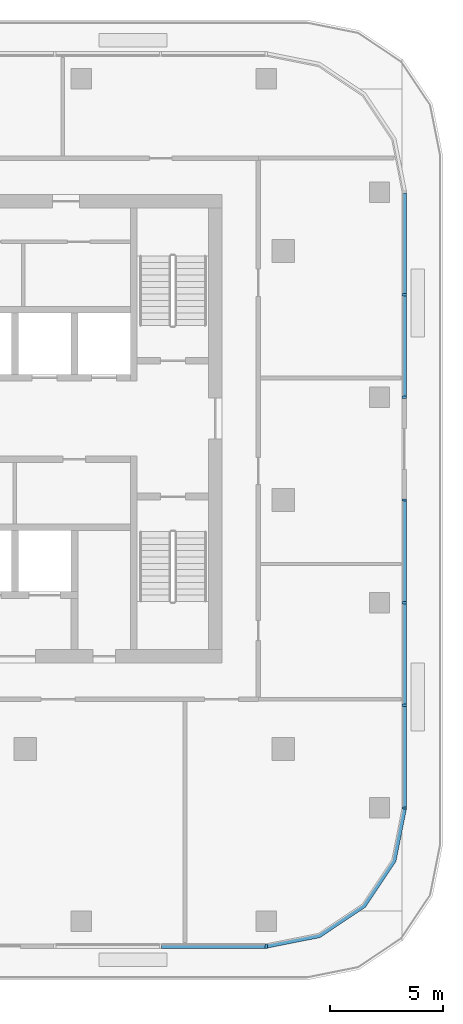
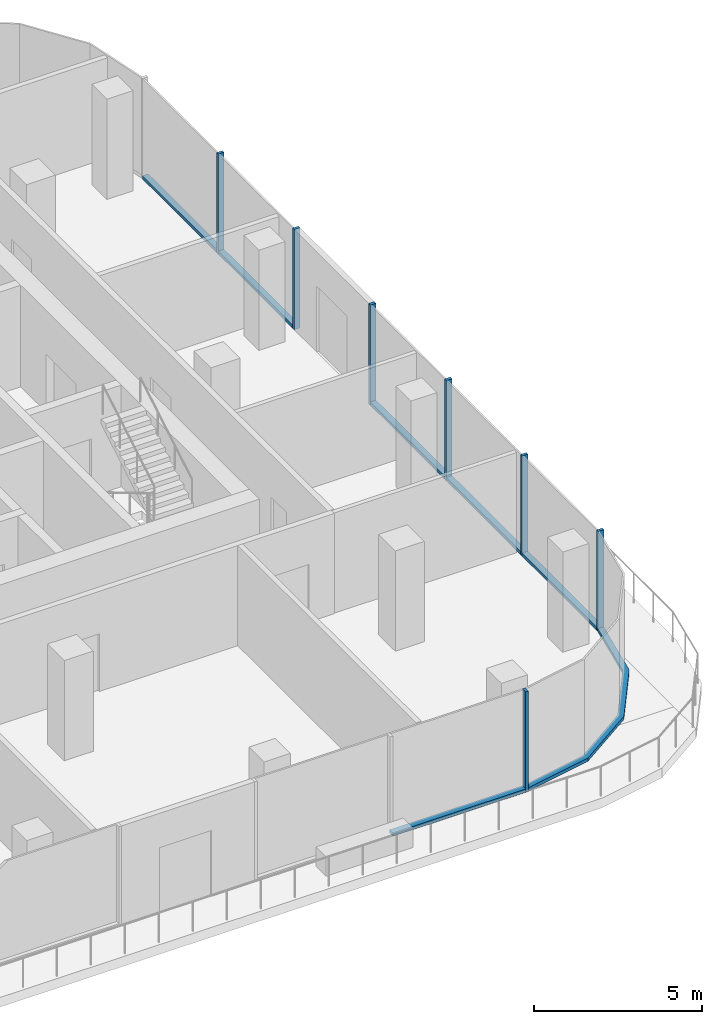
# One storey, part 3 of 12: 14 members, 4 elements without a shape of their own.
"""IFC4 building model written with IfcOpenShell, lengths in metres."""

from ifc_helpers import new_model, si_unit, direction, frame, origin, origin_2d, place, context, subcontext, project, spatial, polyline, rectangle, outline, extrude, material, material_profile, profile_set, type_object, element, aggregate, save


model = new_model("IFC4")

# Units and contexts
model_context = context("Model", 3, precision=1e-05, world=origin(), true_north=direction((0.0, 1.0)))
body_context = subcontext(model_context, "Body", "Model", "MODEL_VIEW")
ifc_project = project(units=[si_unit("LENGTHUNIT", "METRE"), si_unit("AREAUNIT", "SQUARE_METRE"), si_unit("VOLUMEUNIT", "CUBIC_METRE"), si_unit("PLANEANGLEUNIT", "RADIAN"), si_unit("MASSUNIT", "GRAM", prefix="KILO")], contexts=[model_context])

# Site, building, storey
site_placement = place(None, origin())
site = spatial("IfcSite", under=ifc_project, at=site_placement, CompositionType="ELEMENT")
building_placement = place(site_placement, origin())
building = spatial("IfcBuilding", under=site, at=building_placement, Name="Mopane Tessera Tower", CompositionType="ELEMENT")
storey_placement = place(building_placement, frame((0.0, 0.0, 349.39990234375)))
storey = spatial("IfcBuildingStorey", under=building, at=storey_placement, Name="L76", CompositionType="ELEMENT", Elevation=349.39990234375)

# Curtain wall, member
ifc_material_1 = material(Name="Aluminium frame", Category="aluminium")
curtain_wall_type = type_object("IfcCurtainWallType", Name="Unitised curtain wall", PredefinedType="NOTDEFINED", material=ifc_material_1)
curtain_wall_1_placement = place(storey_placement, origin())
curtain_wall_1 = element("IfcCurtainWall", 1, at=curtain_wall_1_placement, inside=storey, type_object=curtain_wall_type, Name="e:cw:L76:S:5", PredefinedType="NOTDEFINED")
ifc_material_2 = material(Name="Aluminium frame", Category="aluminium")
ifc_material_profile_1 = material_profile(ifc_material_2, rectangle(XDim=0.10009765625, YDim=0.199951171875, at=origin_2d()))
ifc_profile_set_1 = profile_set([ifc_material_profile_1], Name="Aluminium frame")
member_type_1 = type_object("IfcMemberType", Name="Aluminium mullion 100 x 200", PredefinedType="MULLION", material=ifc_profile_set_1)
member_1_placement = place(storey_placement, frame((16.35009765625, -19.699951171875, 0.0), z_axis=(0.0, 0.0, 1.0), x_axis=(1.0, 0.0, 0.0)))
member_1 = element("IfcMember", 2, at=member_1_placement, type_object=member_type_1, Name="e:cw:L76:S:5:mu7", PredefinedType="MULLION", context=body_context, shape_type="SweptSolid", body=[
    extrude(rectangle(XDim=0.10009765625, YDim=0.199951171875, at=origin_2d()), origin(), (0.0, 0.0, 1.0), 3.650146484375),
])

# Curtain wall, members
curtain_wall_2_placement = place(storey_placement, origin())
curtain_wall_2 = element("IfcCurtainWall", 3, at=curtain_wall_2_placement, inside=storey, type_object=curtain_wall_type, Name="e:cw:L76:E:0", PredefinedType="NOTDEFINED")
member_2_placement = place(storey_placement, frame((22.449951171875, -13.60009765625, 0.0), z_axis=(0.0, 0.0, 1.0), x_axis=(0.0, 1.0, 0.0)))
member_2 = element("IfcMember", 4, at=member_2_placement, type_object=member_type_1, Name="e:cw:L76:E:0:mu0", PredefinedType="MULLION", context=body_context, shape_type="SweptSolid", body=[
    extrude(rectangle(XDim=0.10009765625, YDim=0.199951171875, at=origin_2d()), origin(), (0.0, 0.0, 1.0), 3.650146484375),
])
member_3_placement = place(storey_placement, frame((22.449951171875, -9.066650390625, 0.0), z_axis=(0.0, 0.0, 1.0), x_axis=(0.0, 1.0, 0.0)))
member_3 = element("IfcMember", 5, at=member_3_placement, type_object=member_type_1, Name="e:cw:L76:E:0:mu1", PredefinedType="MULLION", context=body_context, shape_type="SweptSolid", body=[
    extrude(rectangle(XDim=0.10009765625, YDim=0.199951171875, at=origin_2d()), origin(), (0.0, 0.0, 1.0), 3.650146484375),
])
member_4_placement = place(storey_placement, frame((22.449951171875, -4.533447265625, 0.0), z_axis=(0.0, 0.0, 1.0), x_axis=(0.0, 1.0, 0.0)))
member_4 = element("IfcMember", 6, at=member_4_placement, type_object=member_type_1, Name="e:cw:L76:E:0:mu2", PredefinedType="MULLION", context=body_context, shape_type="SweptSolid", body=[
    extrude(rectangle(XDim=0.10009765625, YDim=0.199951171875, at=origin_2d()), origin(), (0.0, 0.0, 1.0), 3.650146484375),
])
member_5_placement = place(storey_placement, frame((22.449951171875, 0.0, 0.0), z_axis=(0.0, 0.0, 1.0), x_axis=(0.0, 1.0, 0.0)))
member_5 = element("IfcMember", 7, at=member_5_placement, type_object=member_type_1, Name="e:cw:L76:E:0:mu3", PredefinedType="MULLION", context=body_context, shape_type="SweptSolid", body=[
    extrude(rectangle(XDim=0.10009765625, YDim=0.199951171875, at=origin_2d()), origin(), (0.0, 0.0, 1.0), 3.650146484375),
])

curtain_wall_3_placement = place(storey_placement, origin())
curtain_wall_3 = element("IfcCurtainWall", 8, at=curtain_wall_3_placement, inside=storey, type_object=curtain_wall_type, Name="e:cw:L76:E:4", PredefinedType="NOTDEFINED")
member_6_placement = place(storey_placement, frame((22.449951171875, 4.533447265625, 0.0), z_axis=(0.0, 0.0, 1.0), x_axis=(0.0, 1.0, 0.0)))
member_6 = element("IfcMember", 9, at=member_6_placement, type_object=member_type_1, Name="e:cw:L76:E:4:mu4", PredefinedType="MULLION", context=body_context, shape_type="SweptSolid", body=[
    extrude(rectangle(XDim=0.10009765625, YDim=0.199951171875, at=origin_2d()), origin(), (0.0, 0.0, 1.0), 3.650146484375),
])
member_7_placement = place(storey_placement, frame((22.449951171875, 9.066650390625, 0.0), z_axis=(0.0, 0.0, 1.0), x_axis=(0.0, 1.0, 0.0)))
member_7 = element("IfcMember", 10, at=member_7_placement, type_object=member_type_1, Name="e:cw:L76:E:4:mu5", PredefinedType="MULLION", context=body_context, shape_type="SweptSolid", body=[
    extrude(rectangle(XDim=0.10009765625, YDim=0.199951171875, at=origin_2d()), origin(), (0.0, 0.0, 1.0), 3.650146484375),
])

# Member
ifc_material_3 = material(Name="Aluminium frame", Category="aluminium")
ifc_material_profile_2 = material_profile(ifc_material_3, rectangle(XDim=0.199951171875, YDim=0.1201171875, at=origin_2d()))
ifc_profile_set_2 = profile_set([ifc_material_profile_2], Name="Aluminium frame")
member_type_2 = type_object("IfcMemberType", Name="Aluminium transom 200 x 120", PredefinedType="USERDEFINED", material=ifc_profile_set_2)
member_8_placement = place(storey_placement, frame((11.728515625, -19.699951171875, 0.06005859375), z_axis=(1.0, 0.0, 0.0), x_axis=(0.0, 1.0, 0.0)))
member_8 = element("IfcMember", 11, at=member_8_placement, type_object=member_type_2, Name="e:cw:L76:S:5:tr6", ObjectType="TRANSOM", PredefinedType="USERDEFINED", context=body_context, shape_type="SweptSolid", body=[
    extrude(rectangle(XDim=0.199951171875, YDim=0.1201171875, at=origin_2d()), origin(), (0.0, 0.0, 1.0), 4.571533203125),
])

aggregate(curtain_wall_1, [member_1, member_8])

# Curtain wall, member
curtain_wall_4_placement = place(storey_placement, origin())
curtain_wall_4 = element("IfcCurtainWall", 12, at=curtain_wall_4_placement, inside=storey, type_object=curtain_wall_type, Name="e:cw:L76:CS", PredefinedType="NOTDEFINED")
member_9_placement = place(storey_placement, origin())
member_9 = element("IfcMember", 13, at=member_9_placement, type_object=member_type_2, Name="e:cw:L76:CS:tr", ObjectType="TRANSOM", PredefinedType="USERDEFINED", context=body_context, shape_type="SweptSolid", body=[
    extrude(outline(polyline([(16.35009765625, -19.60009765625), (18.64599609375, -19.143310546875), (20.592529296875, -17.842529296875), (21.893310546875, -15.89599609375), (22.35009765625, -13.60009765625), (22.550048828125, -13.60009765625), (22.078125, -15.97265625), (20.734130859375, -17.984130859375), (18.72265625, -19.328125), (16.35009765625, -19.800048828125), (16.35009765625, -19.60009765625)])), origin(), (0.0, 0.0, 1.0), 0.1201171875),
])
aggregate(curtain_wall_4, [member_9])

# Member
member_10_placement = place(storey_placement, frame((22.449951171875, -13.550048828125, 0.06005859375), z_axis=(0.0, 1.0, 0.0), x_axis=(-1.0, 0.0, 0.0)))
member_10 = element("IfcMember", 14, at=member_10_placement, type_object=member_type_2, Name="e:cw:L76:E:0:tr0", ObjectType="TRANSOM", PredefinedType="USERDEFINED", context=body_context, shape_type="SweptSolid", body=[
    extrude(rectangle(XDim=0.199951171875, YDim=0.1201171875, at=origin_2d()), origin(), (0.0, 0.0, 1.0), 4.433349609375),
])

member_11_placement = place(storey_placement, frame((22.449951171875, -9.0166015625, 0.06005859375), z_axis=(0.0, 1.0, 0.0), x_axis=(-1.0, 0.0, 0.0)))
member_11 = element("IfcMember", 15, at=member_11_placement, type_object=member_type_2, Name="e:cw:L76:E:0:tr1", ObjectType="TRANSOM", PredefinedType="USERDEFINED", context=body_context, shape_type="SweptSolid", body=[
    extrude(rectangle(XDim=0.199951171875, YDim=0.1201171875, at=origin_2d()), origin(), (0.0, 0.0, 1.0), 4.433349609375),
])

member_12_placement = place(storey_placement, frame((22.449951171875, -4.4833984375, 0.06005859375), z_axis=(0.0, 1.0, 0.0), x_axis=(-1.0, 0.0, 0.0)))
member_12 = element("IfcMember", 16, at=member_12_placement, type_object=member_type_2, Name="e:cw:L76:E:0:tr2", ObjectType="TRANSOM", PredefinedType="USERDEFINED", context=body_context, shape_type="SweptSolid", body=[
    extrude(rectangle(XDim=0.199951171875, YDim=0.1201171875, at=origin_2d()), origin(), (0.0, 0.0, 1.0), 4.433349609375),
])

aggregate(curtain_wall_2, [member_2, member_3, member_4, member_5, member_10, member_11, member_12])

member_13_placement = place(storey_placement, frame((22.449951171875, 4.583251953125, 0.06005859375), z_axis=(0.0, 1.0, 0.0), x_axis=(-1.0, 0.0, 0.0)))
member_13 = element("IfcMember", 17, at=member_13_placement, type_object=member_type_2, Name="e:cw:L76:E:4:tr4", ObjectType="TRANSOM", PredefinedType="USERDEFINED", context=body_context, shape_type="SweptSolid", body=[
    extrude(rectangle(XDim=0.199951171875, YDim=0.1201171875, at=origin_2d()), origin(), (0.0, 0.0, 1.0), 4.433349609375),
])

member_14_placement = place(storey_placement, frame((22.449951171875, 9.11669921875, 0.06005859375), z_axis=(0.0, 1.0, 0.0), x_axis=(-1.0, 0.0, 0.0)))
member_14 = element("IfcMember", 18, at=member_14_placement, type_object=member_type_2, Name="e:cw:L76:E:4:tr5", ObjectType="TRANSOM", PredefinedType="USERDEFINED", context=body_context, shape_type="SweptSolid", body=[
    extrude(rectangle(XDim=0.199951171875, YDim=0.1201171875, at=origin_2d()), origin(), (0.0, 0.0, 1.0), 4.433349609375),
])

aggregate(curtain_wall_3, [member_6, member_7, member_13, member_14])

save(model, "model.ifc")
